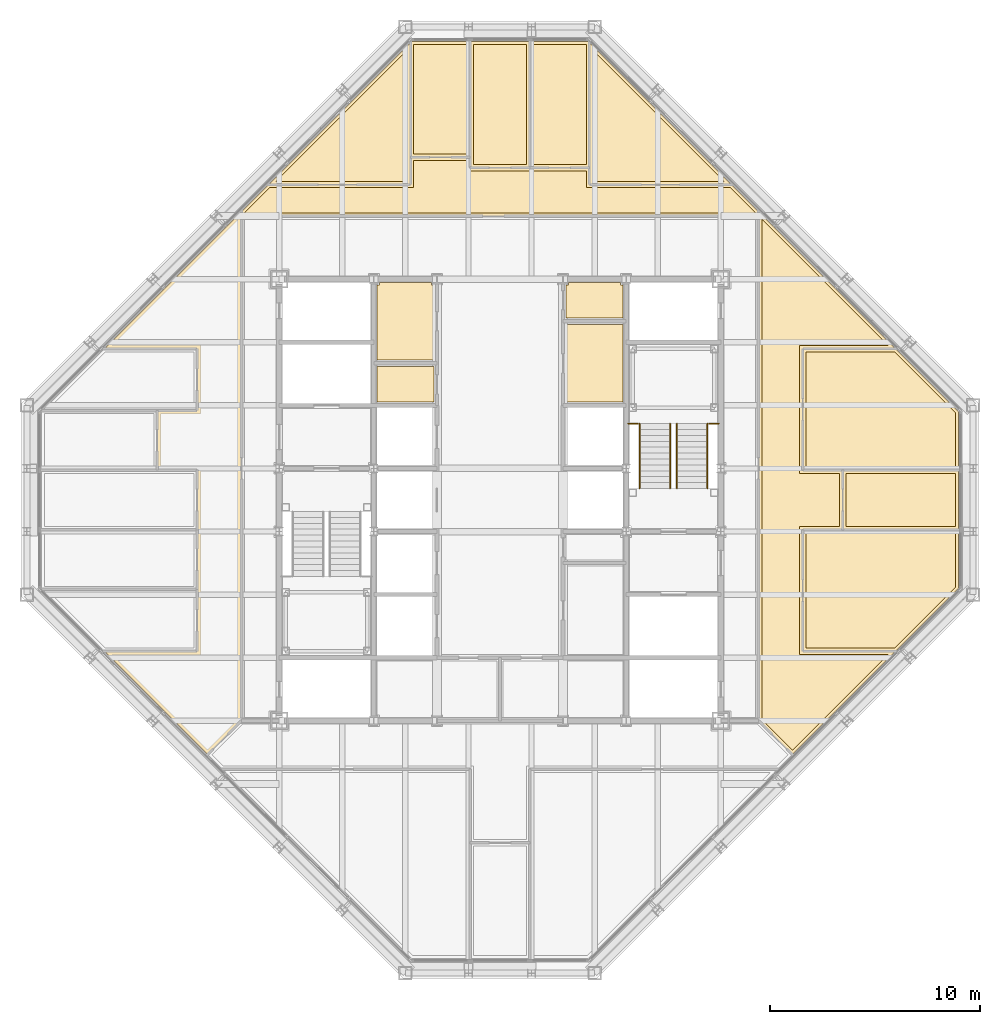
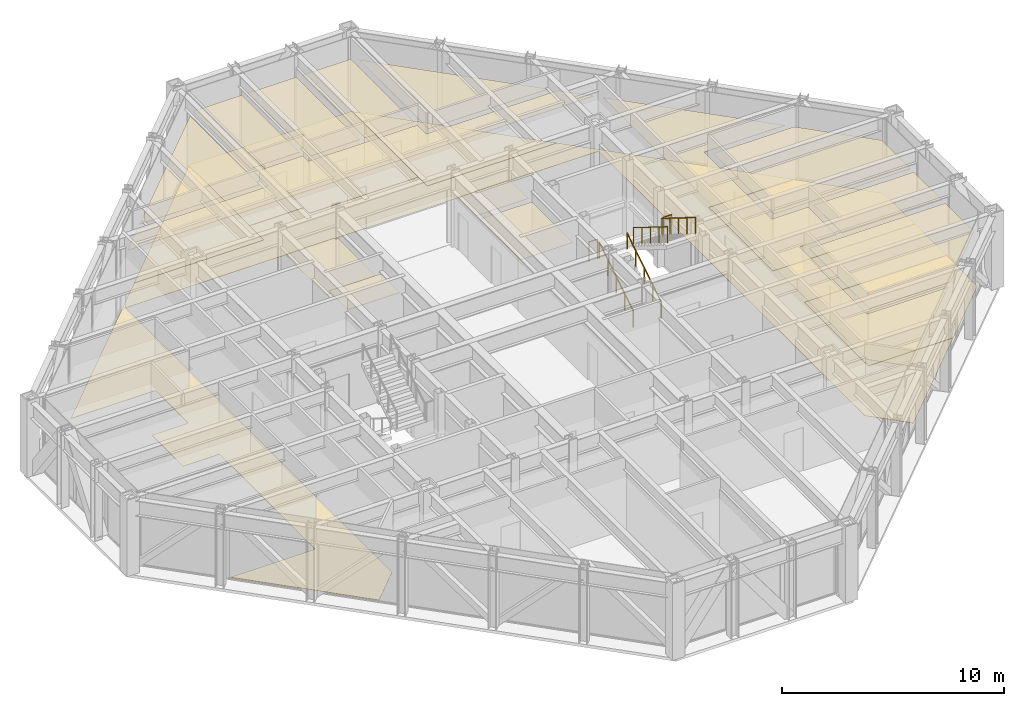
# One storey, part 15 of 15: 23 coverings, 6 railings.
"""IFC4 building model written with IfcOpenShell, lengths in metres."""

from ifc_helpers import new_model, si_unit, direction, frame, origin, origin_2d, place, context, subcontext, project, spatial, polyline, circle, outline, extrude, material, layer, layer_set, type_object, element, save


model = new_model("IFC4")

# Units and contexts
model_context = context("Model", 3, precision=1e-05, world=origin(), true_north=direction((0.0, 1.0)))
body_context = subcontext(model_context, "Body", "Model", "MODEL_VIEW")
ifc_project = project(units=[si_unit("LENGTHUNIT", "METRE"), si_unit("AREAUNIT", "SQUARE_METRE"), si_unit("VOLUMEUNIT", "CUBIC_METRE"), si_unit("PLANEANGLEUNIT", "RADIAN"), si_unit("MASSUNIT", "GRAM", prefix="KILO")], contexts=[model_context])

# Site, building, storey
site_placement = place(None, origin())
site = spatial("IfcSite", under=ifc_project, at=site_placement, CompositionType="ELEMENT")
building_placement = place(site_placement, origin())
building = spatial("IfcBuilding", under=site, at=building_placement, Name="Chuquiago Exchange Tower", CompositionType="ELEMENT")
storey_placement = place(building_placement, frame((0.0, 0.0, 283.199951171875)))
storey = spatial("IfcBuildingStorey", under=building, at=storey_placement, Name="L63", CompositionType="ELEMENT", Elevation=283.199951171875)

# Coverings
ifc_material_1 = material(Name="Mineral fibre tile, 600 x 600, on pale metal grid", Category="mineral fibre")
ifc_layer_1 = layer(ifc_material_1, 0.02001953125)
ifc_layer_set_1 = layer_set([ifc_layer_1], Name="CL1 suspended tile ceiling 20")
covering_type_1 = type_object("IfcCoveringType", Name="CL1 suspended tile ceiling 20", PredefinedType="CEILING", material=ifc_layer_set_1)
covering_1_placement = place(storey_placement, frame((0.0, 0.0, 3.0)))
element("IfcCovering", 1, at=covering_1_placement, inside=storey, type_object=covering_type_1, Name="Ceiling Office", PredefinedType="CEILING", context=body_context, shape_type="SweptSolid", body=[
    extrude(outline(polyline([(41.255126953125, 15.45703125), (37.050048828125, 15.45703125), (37.050048828125, 20.932861328125), (44.14990234375, 20.932861328125), (44.14990234375, 18.35205078125), (41.255126953125, 15.45703125)])), origin(), (0.0, 0.0, 1.0), 0.02001953125),
])
covering_2_placement = place(storey_placement, frame((0.0, 0.0, 3.0)))
element("IfcCovering", 2, at=covering_2_placement, inside=storey, type_object=covering_type_1, Name="Ceiling Pantry", PredefinedType="CEILING", context=body_context, shape_type="SweptSolid", body=[
    extrude(outline(polyline([(38.949951171875, 21.23291015625), (38.949951171875, 23.76708984375), (44.14990234375, 23.76708984375), (44.14990234375, 21.23291015625), (38.949951171875, 21.23291015625)])), origin(), (0.0, 0.0, 1.0), 0.02001953125),
])
covering_3_placement = place(storey_placement, frame((0.0, 0.0, 3.0)))
element("IfcCovering", 3, at=covering_3_placement, inside=storey, type_object=covering_type_1, Name="Ceiling Office", PredefinedType="CEILING", context=body_context, shape_type="SweptSolid", body=[
    extrude(outline(polyline([(44.14990234375, 24.067138671875), (37.050048828125, 24.067138671875), (37.050048828125, 29.54296875), (41.255126953125, 29.54296875), (44.14990234375, 26.64794921875), (44.14990234375, 24.067138671875)])), origin(), (0.0, 0.0, 1.0), 0.02001953125),
])
covering_4_placement = place(storey_placement, frame((0.0, 0.0, 3.0)))
element("IfcCovering", 4, at=covering_4_placement, inside=storey, type_object=covering_type_1, Name="Ceiling Broker lounge", PredefinedType="CEILING", context=body_context, shape_type="SweptSolid", body=[
    extrude(outline(polyline([(18.098388671875, 37.64990234375), (11.85205078125, 37.64990234375), (18.098388671875, 43.896484375), (18.098388671875, 37.64990234375)])), origin(), (0.0, 0.0, 1.0), 0.02001953125),
])
covering_5_placement = place(storey_placement, frame((0.0, 0.0, 3.0)))
element("IfcCovering", 5, at=covering_5_placement, inside=storey, type_object=covering_type_1, Name="Ceiling Store", PredefinedType="CEILING", context=body_context, shape_type="SweptSolid", body=[
    extrude(outline(polyline([(20.932861328125, 44.14990234375), (20.932861328125, 38.949951171875), (18.3984375, 38.949951171875), (18.3984375, 44.14990234375), (20.932861328125, 44.14990234375)])), origin(), (0.0, 0.0, 1.0), 0.02001953125),
])
covering_6_placement = place(storey_placement, frame((0.0, 0.0, 3.0)))
element("IfcCovering", 6, at=covering_6_placement, inside=storey, type_object=covering_type_1, Name="Ceiling Meeting room", PredefinedType="CEILING", context=body_context, shape_type="SweptSolid", body=[
    extrude(outline(polyline([(23.76708984375, 38.449951171875), (21.23291015625, 38.449951171875), (21.23291015625, 44.14990234375), (23.76708984375, 44.14990234375), (23.76708984375, 38.449951171875)])), origin(), (0.0, 0.0, 1.0), 0.02001953125),
])
covering_7_placement = place(storey_placement, frame((0.0, 0.0, 3.0)))
element("IfcCovering", 7, at=covering_7_placement, inside=storey, type_object=covering_type_1, Name="Ceiling Office", PredefinedType="CEILING", context=body_context, shape_type="SweptSolid", body=[
    extrude(outline(polyline([(26.6015625, 38.449951171875), (24.067138671875, 38.449951171875), (24.067138671875, 44.14990234375), (26.6015625, 44.14990234375), (26.6015625, 38.449951171875)])), origin(), (0.0, 0.0, 1.0), 0.02001953125),
])
covering_8_placement = place(storey_placement, frame((0.0, 0.0, 3.0)))
element("IfcCovering", 8, at=covering_8_placement, inside=storey, type_object=covering_type_1, Name="Ceiling Dining room", PredefinedType="CEILING", context=body_context, shape_type="SweptSolid", body=[
    extrude(outline(polyline([(26.901611328125, 37.64990234375), (26.901611328125, 43.896484375), (33.14794921875, 37.64990234375), (26.901611328125, 37.64990234375)])), origin(), (0.0, 0.0, 1.0), 0.02001953125),
])
covering_9_placement = place(storey_placement, frame((0.0, 0.0, 3.0)))
element("IfcCovering", 9, at=covering_9_placement, inside=storey, type_object=covering_type_1, Name="Ceiling Executive reception east", PredefinedType="CEILING", context=body_context, shape_type="SweptSolid", body=[
    extrude(outline(polyline([(40.955078125, 29.843017578125), (36.75, 29.843017578125), (36.75, 23.76708984375), (38.64990234375, 23.76708984375), (38.64990234375, 21.23291015625), (36.75, 21.23291015625), (36.75, 15.156982421875), (40.955078125, 15.156982421875), (36.405517578125, 10.607421875), (34.949951171875, 12.0625), (34.949951171875, 35.847900390625), (40.955078125, 29.843017578125)])), origin(), (0.0, 0.0, 1.0), 0.02001953125),
])
covering_10_placement = place(storey_placement, frame((0.0, 0.0, 3.0)))
element("IfcCovering", 10, at=covering_10_placement, inside=storey, type_object=covering_type_1, Name="Ceiling Executive reception east", PredefinedType="CEILING", context=body_context, shape_type="SweptSolid", body=[
    extrude(outline(polyline([(11.552001953125, 37.35009765625), (18.3984375, 37.35009765625), (18.3984375, 38.64990234375), (20.932861328125, 38.64990234375), (20.932861328125, 38.14990234375), (26.6015625, 38.14990234375), (26.6015625, 37.35009765625), (33.447998046875, 37.35009765625), (34.64794921875, 36.14990234375), (10.35205078125, 36.14990234375), (11.552001953125, 37.35009765625)])), origin(), (0.0, 0.0, 1.0), 0.02001953125),
])
covering_11_placement = place(storey_placement, frame((0.0, 0.0, 3.0)))
element("IfcCovering", 11, at=covering_11_placement, inside=storey, type_object=covering_type_1, Name="Ceiling First aid room", PredefinedType="CEILING", context=body_context, shape_type="SweptSolid", body=[
    extrude(outline(polyline([(16.64990234375, 27.14990234375), (16.64990234375, 28.85009765625), (19.35009765625, 28.85009765625), (19.35009765625, 27.14990234375), (16.64990234375, 27.14990234375)])), origin(), (0.0, 0.0, 1.0), 0.02001953125),
])
ifc_material_2 = material(Name="Moisture resistant plasterboard on metal frame", Category="gypsum")
ifc_layer_2 = layer(ifc_material_2, 0.014892578125)
ifc_layer_set_2 = layer_set([ifc_layer_2], Name="CL2 moisture resistant ceiling 15")
covering_type_2 = type_object("IfcCoveringType", Name="CL2 moisture resistant ceiling 15", PredefinedType="CEILING", material=ifc_layer_set_2)
covering_12_placement = place(storey_placement, frame((0.0, 0.0, 2.60009765625)))
element("IfcCovering", 12, at=covering_12_placement, inside=storey, type_object=covering_type_2, Name="Ceiling Male WC", PredefinedType="CEILING", context=body_context, shape_type="SweptSolid", body=[
    extrude(outline(polyline([(16.64990234375, 29.14990234375), (16.64990234375, 32.727783203125), (16.75830078125, 32.727783203125), (16.75830078125, 32.85009765625), (19.24169921875, 32.85009765625), (19.24169921875, 32.727783203125), (19.35009765625, 32.727783203125), (19.35009765625, 29.14990234375), (16.64990234375, 29.14990234375)])), origin(), (0.0, 0.0, 1.0), 0.014892578125),
])
covering_13_placement = place(storey_placement, frame((0.0, 0.0, 2.60009765625)))
element("IfcCovering", 13, at=covering_13_placement, inside=storey, type_object=covering_type_2, Name="Ceiling Female WC", PredefinedType="CEILING", context=body_context, shape_type="SweptSolid", body=[
    extrude(outline(polyline([(25.64990234375, 27.14990234375), (25.64990234375, 30.85009765625), (28.35009765625, 30.85009765625), (28.35009765625, 27.14990234375), (25.64990234375, 27.14990234375)])), origin(), (0.0, 0.0, 1.0), 0.014892578125),
])
covering_14_placement = place(storey_placement, frame((0.0, 0.0, 2.60009765625)))
element("IfcCovering", 14, at=covering_14_placement, inside=storey, type_object=covering_type_2, Name="Ceiling Staff shower room", PredefinedType="CEILING", context=body_context, shape_type="SweptSolid", body=[
    extrude(outline(polyline([(25.64990234375, 31.14990234375), (25.64990234375, 32.727783203125), (25.75830078125, 32.727783203125), (25.75830078125, 32.85009765625), (28.24169921875, 32.85009765625), (28.24169921875, 32.727783203125), (28.35009765625, 32.727783203125), (28.35009765625, 31.14990234375), (25.64990234375, 31.14990234375)])), origin(), (0.0, 0.0, 1.0), 0.014892578125),
])
ifc_material_3 = material(Name="Carpet tile, 500 x 500, on the floor slab", Category="textile")
ifc_layer_3 = layer(ifc_material_3, 0.010009765625)
ifc_layer_set_3 = layer_set([ifc_layer_3], Name="FL1 carpet tile 10")
covering_type_3 = type_object("IfcCoveringType", Name="FL1 carpet tile 10", PredefinedType="FLOORING", material=ifc_layer_set_3)
covering_15_placement = place(storey_placement, origin())
element("IfcCovering", 15, at=covering_15_placement, inside=storey, type_object=covering_type_3, Name="Floor finish Office", PredefinedType="FLOORING", context=body_context, shape_type="SweptSolid", body=[
    extrude(outline(polyline([(44.300048828125, 18.289794921875), (41.317138671875, 15.30712890625), (36.89990234375, 15.30712890625), (36.89990234375, 21.082763671875), (44.300048828125, 21.082763671875), (44.300048828125, 18.289794921875)])), origin(), (0.0, 0.0, 1.0), 0.010009765625),
])
covering_16_placement = place(storey_placement, origin())
element("IfcCovering", 16, at=covering_16_placement, inside=storey, type_object=covering_type_3, Name="Floor finish Office", PredefinedType="FLOORING", context=body_context, shape_type="SweptSolid", body=[
    extrude(outline(polyline([(44.300048828125, 26.710205078125), (44.300048828125, 23.917236328125), (36.89990234375, 23.917236328125), (36.89990234375, 29.69287109375), (41.317138671875, 29.69287109375), (44.300048828125, 26.710205078125)])), origin(), (0.0, 0.0, 1.0), 0.010009765625),
])
covering_17_placement = place(storey_placement, origin())
element("IfcCovering", 17, at=covering_17_placement, inside=storey, type_object=covering_type_3, Name="Floor finish Meeting room", PredefinedType="FLOORING", context=body_context, shape_type="SweptSolid", body=[
    extrude(outline(polyline([(23.917236328125, 44.300048828125), (23.917236328125, 38.300048828125), (21.082763671875, 38.300048828125), (21.082763671875, 44.300048828125), (23.917236328125, 44.300048828125)])), origin(), (0.0, 0.0, 1.0), 0.010009765625),
])
covering_18_placement = place(storey_placement, origin())
element("IfcCovering", 18, at=covering_18_placement, inside=storey, type_object=covering_type_3, Name="Floor finish Office", PredefinedType="FLOORING", context=body_context, shape_type="SweptSolid", body=[
    extrude(outline(polyline([(26.710205078125, 44.300048828125), (26.75146484375, 44.258544921875), (26.75146484375, 38.300048828125), (23.917236328125, 38.300048828125), (23.917236328125, 44.300048828125), (26.710205078125, 44.300048828125)])), origin(), (0.0, 0.0, 1.0), 0.010009765625),
])
ifc_material_4 = material(Name="Porcelain floor tile, 600 x 600, on adhesive bed", Category="ceramic")
ifc_layer_4 = layer(ifc_material_4, 0.014892578125)
ifc_layer_set_4 = layer_set([ifc_layer_4], Name="FL2 porcelain tile 15")
covering_type_4 = type_object("IfcCoveringType", Name="FL2 porcelain tile 15", PredefinedType="FLOORING", material=ifc_layer_set_4)
covering_19_placement = place(storey_placement, origin())
element("IfcCovering", 19, at=covering_19_placement, inside=storey, type_object=covering_type_4, Name="Floor finish Pantry", PredefinedType="FLOORING", context=body_context, shape_type="SweptSolid", body=[
    extrude(outline(polyline([(44.300048828125, 21.082763671875), (38.800048828125, 21.082763671875), (38.800048828125, 23.917236328125), (44.300048828125, 23.917236328125), (44.300048828125, 21.082763671875)])), origin(), (0.0, 0.0, 1.0), 0.01513671875),
])
covering_20_placement = place(storey_placement, origin())
element("IfcCovering", 20, at=covering_20_placement, inside=storey, type_object=covering_type_4, Name="Floor finish Broker lounge", PredefinedType="FLOORING", context=body_context, shape_type="SweptSolid", body=[
    extrude(outline(polyline([(18.24853515625, 44.258544921875), (18.24853515625, 37.5), (11.489990234375, 37.5), (18.24853515625, 44.258544921875)])), origin(), (0.0, 0.0, 1.0), 0.01513671875),
])
covering_21_placement = place(storey_placement, origin())
element("IfcCovering", 21, at=covering_21_placement, inside=storey, type_object=covering_type_4, Name="Floor finish Store", PredefinedType="FLOORING", context=body_context, shape_type="SweptSolid", body=[
    extrude(outline(polyline([(18.289794921875, 44.300048828125), (21.082763671875, 44.300048828125), (21.082763671875, 38.800048828125), (18.24853515625, 38.800048828125), (18.24853515625, 44.258544921875), (18.289794921875, 44.300048828125)])), origin(), (0.0, 0.0, 1.0), 0.01513671875),
])
covering_22_placement = place(storey_placement, origin())
element("IfcCovering", 22, at=covering_22_placement, inside=storey, type_object=covering_type_4, Name="Floor finish Dining room", PredefinedType="FLOORING", context=body_context, shape_type="SweptSolid", body=[
    extrude(outline(polyline([(33.510009765625, 37.5), (26.75146484375, 37.5), (26.75146484375, 44.258544921875), (33.510009765625, 37.5)])), origin(), (0.0, 0.0, 1.0), 0.01513671875),
])
covering_23_placement = place(storey_placement, origin())
element("IfcCovering", 23, at=covering_23_placement, inside=storey, type_object=covering_type_4, Name="Floor finish Executive reception east", PredefinedType="FLOORING", context=body_context, shape_type="SweptSolid", body=[
    extrude(outline(polyline([(21.082763671875, 38.300048828125), (26.75146484375, 38.300048828125), (26.75146484375, 37.5), (33.510009765625, 37.5), (30.130859375, 40.87939453125), (41.317138671875, 29.69287109375), (36.89990234375, 29.69287109375), (36.89990234375, 23.917236328125), (38.800048828125, 23.917236328125), (38.800048828125, 21.082763671875), (36.89990234375, 21.082763671875), (36.89990234375, 15.30712890625), (41.317138671875, 15.30712890625), (36.405517578125, 10.395263671875), (34.800048828125, 12.00048828125), (34.800048828125, 36.0), (10.199951171875, 36.0), (10.199951171875, 12.00048828125), (8.594482421875, 10.395263671875), (3.682861328125, 15.30712890625), (8.10009765625, 15.30712890625), (8.10009765625, 23.917236328125), (6.199951171875, 23.917236328125), (6.199951171875, 26.75146484375), (8.10009765625, 26.75146484375), (8.10009765625, 29.69287109375), (3.682861328125, 29.69287109375), (0.8505859375, 26.860595703125), (11.489990234375, 37.5), (18.24853515625, 37.5), (18.24853515625, 38.800048828125), (21.082763671875, 38.800048828125), (21.082763671875, 38.300048828125)])), origin(), (0.0, 0.0, 1.0), 0.01513671875),
])

# Railings
ifc_material_5 = material(Name="Pale metal guard with safety glass infill", Category="glass")
railing_type_1 = type_object("IfcRailingType", Name="GR1 guard 1100", PredefinedType="GUARDRAIL", material=ifc_material_5)
for number, where, name in (
    (24, (28.60009765625, 26.1298828125, 2.10009765625), "Guard ST2 L63 landing 2"),
    (25, (32.445068359375, 26.1298828125, 2.10009765625), "Guard ST2 L63 landing 2"),
):
    element("IfcRailing", number, at=place(storey_placement, frame(where)), inside=storey, type_object=railing_type_1, Name=name, PredefinedType="GUARDRAIL", context=body_context, shape_type="SweptSolid", body=[
        extrude(circle(Radius=0.02392578125, at=origin_2d()), frame((0.0, 0.0, 1.076171875), z_axis=(1.0, 0.0, 0.0), x_axis=(0.0, 1.0, 0.0)), (0.0, 0.0, 1.0), 0.454833984375),
        extrude(circle(Radius=0.02099609375, at=origin_2d()), origin(), (0.0, 0.0, 1.0), 1.052001953125),
        extrude(circle(Radius=0.02099609375, at=origin_2d()), frame((0.454833984375, 0.0, 0.0)), (0.0, 0.0, 1.0), 1.052001953125),
    ])
ifc_material_6 = material(Name="Pale metal handrail", Category="steel")
railing_type_2 = type_object("IfcRailingType", Name="HR1 handrail 900", PredefinedType="HANDRAIL", material=ifc_material_6)
for number, where, name in (
    (26, (30.5849609375, 23.050048828125, 0.175048828125), "Handrail ST2 L63 flight 1"),
    (27, (29.135009765625, 23.050048828125, 0.175048828125), "Handrail ST2 L63 flight 1"),
):
    element("IfcRailing", number, at=place(storey_placement, frame(where)), inside=storey, type_object=railing_type_2, Name=name, PredefinedType="HANDRAIL", context=body_context, shape_type="SweptSolid", body=[
        extrude(circle(Radius=0.02392578125, at=origin_2d()), frame((0.0, 0.0, 0.8759765625), z_axis=(0.0, 0.847979421464, 0.530029150871), x_axis=(-1.0, 0.0, 0.0)), (0.0, 0.0, 1.0), 3.632080078125),
        extrude(circle(Radius=0.02099609375, at=origin_2d()), origin(), (0.0, 0.0, 1.0), 0.851806640625),
        extrude(circle(Radius=0.02099609375, at=origin_2d()), frame((0.0, 0.77001953125, 0.481201171875)), (0.0, 0.0, 1.0), 0.851806640625),
        extrude(circle(Radius=0.02099609375, at=origin_2d()), frame((0.0, 1.5400390625, 0.96240234375)), (0.0, 0.0, 1.0), 0.851806640625),
        extrude(circle(Radius=0.02099609375, at=origin_2d()), frame((0.0, 2.309814453125, 1.44384765625)), (0.0, 0.0, 1.0), 0.851806640625),
        extrude(circle(Radius=0.02099609375, at=origin_2d()), frame((0.0, 3.079833984375, 1.925048828125)), (0.0, 0.0, 1.0), 0.851806640625),
    ])
for number, where, name in (
    (28, (30.9150390625, 26.1298828125, 2.275146484375), "Handrail ST2 L63 flight 2"),
    (29, (32.364990234375, 26.1298828125, 2.275146484375), "Handrail ST2 L63 flight 2"),
):
    element("IfcRailing", number, at=place(storey_placement, frame(where)), inside=storey, type_object=railing_type_2, Name=name, PredefinedType="HANDRAIL", context=body_context, shape_type="SweptSolid", body=[
        extrude(circle(Radius=0.02392578125, at=origin_2d()), frame((0.0, 0.0, 0.8759765625), z_axis=(0.0, -0.848009633417, 0.529980812513), x_axis=(1.0, 0.0, 0.0)), (0.0, 0.0, 1.0), 3.6318359375),
        extrude(circle(Radius=0.02099609375, at=origin_2d()), origin(), (0.0, 0.0, 1.0), 0.851806640625),
        extrude(circle(Radius=0.02099609375, at=origin_2d()), frame((0.0, -0.77001953125, 0.481201171875)), (0.0, 0.0, 1.0), 0.851806640625),
        extrude(circle(Radius=0.02099609375, at=origin_2d()), frame((0.0, -1.5400390625, 0.96240234375)), (0.0, 0.0, 1.0), 0.851806640625),
        extrude(circle(Radius=0.02099609375, at=origin_2d()), frame((0.0, -2.309814453125, 1.443603515625)), (0.0, 0.0, 1.0), 0.851806640625),
        extrude(circle(Radius=0.02099609375, at=origin_2d()), frame((0.0, -3.079833984375, 1.9248046875)), (0.0, 0.0, 1.0), 0.851806640625),
    ])

save(model, "model.ifc")
